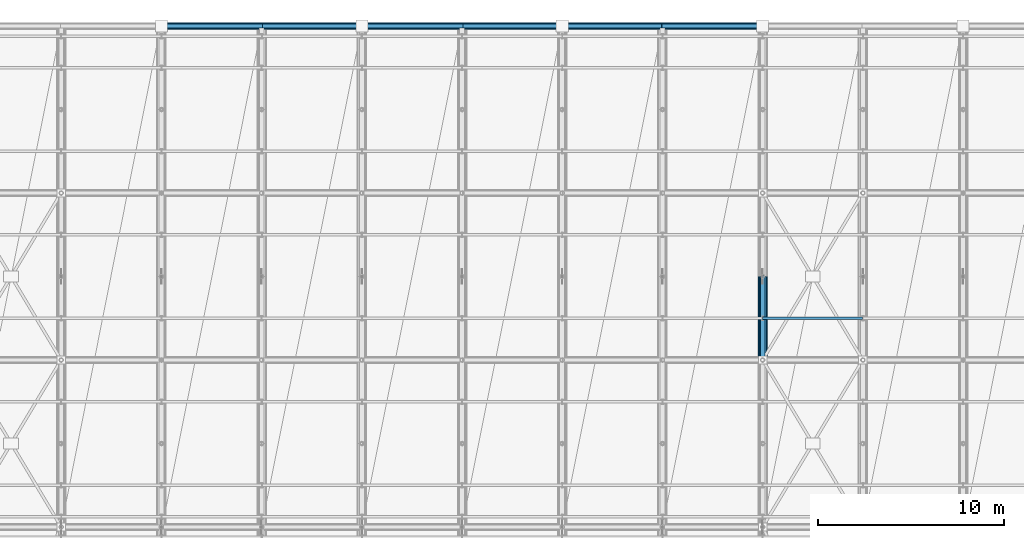
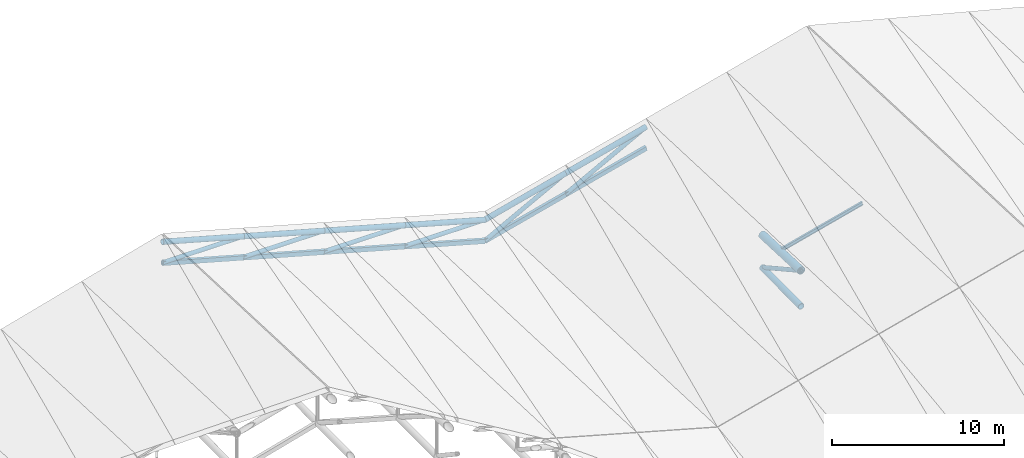
# One storey, part 28 of 109: 20 members, 2 beams.
"""IFC4 building model written with IfcOpenShell, lengths in metres."""

import ifcopenshell
import ifcopenshell.guid

model = None  # the IFC model being written
_history = None  # IfcOwnerHistory: only IFC2X3 demands one
_inside = {}  # id of a spatial element -> (the spatial element, [elements in it])
_under = {}  # id of a project, library or spatial element -> (it, [spatial elements below it])
_declared = {}  # id of a project -> (the project, [libraries it declares])
_typed = {}  # id of a type object -> (the type object, [elements of that type])
_made_of = {}  # id of a material, layer set ... -> (it, [elements and type objects made of it])


def new_model(schema):
    """Start an empty IFC model of exactly this schema.

    Asked for "IFC4X3", IfcOpenShell would pick the latest addendum, in which some entities
    have other attributes; the version numbers below select the first issue.
    IFC2X3 requires an IfcOwnerHistory on every rooted entity: one is made here for all.
    """
    global model, _history
    if schema == "IFC4X3":
        model = ifcopenshell.file(schema_version=(4, 3, 0, 0))
    else:
        model = ifcopenshell.file(schema=schema)
    _inside.clear()
    _under.clear()
    _declared.clear()
    _typed.clear()
    _made_of.clear()
    _history = None
    if model.schema == "IFC2X3":
        org = make("IfcOrganization", Name="unknown")
        user = make(
            "IfcPersonAndOrganization",
            ThePerson=make("IfcPerson", FamilyName="unknown"),
            TheOrganization=org,
        )
        app = make(
            "IfcApplication",
            ApplicationDeveloper=org,
            Version="unknown",
            ApplicationFullName="unknown",
            ApplicationIdentifier="unknown",
        )
        _history = make(
            "IfcOwnerHistory",
            OwningUser=user,
            OwningApplication=app,
            ChangeAction="ADDED",
            CreationDate=0,
        )
    return model


def make(cls, **values):
    """One entity of the class cls with the attributes given. An attribute that is None is left unset."""
    return model.create_entity(
        cls, **{name: value for name, value in values.items() if value is not None}
    )


def rooted(cls, **values):
    """An entity with a GlobalId (a new one), such as an element, a storey or a relation."""
    return make(cls, GlobalId=ifcopenshell.guid.new(), OwnerHistory=_history, **values)


def si_unit(unit_type, name, prefix=None):
    """IfcSIUnit, for example si_unit("LENGTHUNIT", "METRE", prefix="MILLI")."""
    return make("IfcSIUnit", UnitType=unit_type, Prefix=prefix, Name=name)


def assignment(units):
    """IfcUnitAssignment: the units of a project."""
    return None if units is None else make("IfcUnitAssignment", Units=units)


def point(xyz):
    """IfcCartesianPoint."""
    return None if xyz is None else make("IfcCartesianPoint", Coordinates=xyz)


def direction(xyz):
    """IfcDirection."""
    return None if xyz is None else make("IfcDirection", DirectionRatios=xyz)


def frame(location, z_axis=None, x_axis=None):
    """IfcAxis2Placement3D, a coordinate frame: its origin and axes. An axis left out is left unset."""
    return make(
        "IfcAxis2Placement3D",
        Location=point(location),
        Axis=direction(z_axis),
        RefDirection=direction(x_axis),
    )


def frame_2d(location, x_axis=None):
    """IfcAxis2Placement2D, a coordinate frame in the plane: its origin and x axis."""
    return make(
        "IfcAxis2Placement2D", Location=point(location), RefDirection=direction(x_axis)
    )


def origin():
    """The frame at (0, 0, 0) with its axes left unset."""
    return frame((0.0, 0.0, 0.0))


def origin_2d():
    """The frame at (0, 0) in the plane with its x axis left unset."""
    return frame_2d((0.0, 0.0))


def place(relative_to, where):
    """IfcLocalPlacement: puts the frame where relative to a parent placement (None: the world)."""
    return make(
        "IfcLocalPlacement", PlacementRelTo=relative_to, RelativePlacement=where
    )


def context(
    kind, dimensions, precision=None, world=None, true_north=None, identifier=None
):
    """IfcGeometricRepresentationContext, for example the 3D "Model" context."""
    return make(
        "IfcGeometricRepresentationContext",
        ContextIdentifier=identifier,
        ContextType=kind,
        CoordinateSpaceDimension=dimensions,
        Precision=precision,
        WorldCoordinateSystem=world,
        TrueNorth=true_north,
    )


def subcontext(parent, identifier, kind, view, scale=None):
    """IfcGeometricRepresentationSubContext, for example "Body" below "Model"."""
    return make(
        "IfcGeometricRepresentationSubContext",
        ContextIdentifier=identifier,
        ContextType=kind,
        ParentContext=parent,
        TargetScale=scale,
        TargetView=view,
    )


def project(units=None, contexts=None):
    """IfcProject with its units and contexts."""
    return rooted(
        "IfcProject",
        Name="project",
        RepresentationContexts=contexts,
        UnitsInContext=assignment(units),
    )


def spatial(cls, under=None, at=None, **own):
    """A site, building, storey or space (cls), placed at a placement, below another one or the project."""
    s = rooted(cls, ObjectPlacement=at, **own)
    if under is not None:
        _under.setdefault(under.id(), (under, []))[1].append(s)
    return s


def profile(cls, at=None, kind="AREA", **sizes):
    """A parametric profile (cls). Its sizes go by their IFC names, for example OverallWidth=200.0."""
    return make(cls, ProfileType=kind, Position=at, **sizes)


def hollow_rectangle(**sizes):
    """IfcRectangleHollowProfileDef."""
    return profile("IfcRectangleHollowProfileDef", **sizes)


def hollow_circle(**sizes):
    """IfcCircleHollowProfileDef."""
    return profile("IfcCircleHollowProfileDef", **sizes)


def i_section(**sizes):
    """IfcIShapeProfileDef."""
    return profile("IfcIShapeProfileDef", **sizes)


def extrude(swept, where, along, depth):
    """IfcExtrudedAreaSolid: the profile swept, set in the frame where, extruded along a direction by depth."""
    return make(
        "IfcExtrudedAreaSolid",
        SweptArea=swept,
        Position=where,
        ExtrudedDirection=direction(along),
        Depth=depth,
    )


def shape(context_of_items, identifier, shape_type, items):
    """IfcShapeRepresentation: the items that make up one representation, for example the "Body"."""
    return make(
        "IfcShapeRepresentation",
        ContextOfItems=context_of_items,
        RepresentationIdentifier=identifier,
        RepresentationType=shape_type,
        Items=items,
    )


def material(Name=None, Category=None):
    """IfcMaterial."""
    return make("IfcMaterial", Name=Name, Category=Category)


def material_profile(
    of_material, cross_section, Name=None, Category=None, Priority=None
):
    """IfcMaterialProfile: a cross section and its material."""
    return make(
        "IfcMaterialProfile",
        Name=Name,
        Material=of_material,
        Profile=cross_section,
        Priority=Priority,
        Category=Category,
    )


def profile_set(profiles, Name=None, composite=None):
    """IfcMaterialProfileSet."""
    return make(
        "IfcMaterialProfileSet",
        Name=Name,
        MaterialProfiles=profiles,
        CompositeProfile=composite,
    )


def made_of(thing, what):
    """Note that an element or type object is made of a material, layer set ...; save() writes the relation."""
    if what is not None:
        _made_of.setdefault(what.id(), (what, []))[1].append(thing)
    return thing


def type_object(cls, material=None, **own):
    """A type object (cls), such as IfcWallType, which elements share."""
    return made_of(rooted(cls, **own), material)


def element(
    cls,
    number,
    at=None,
    inside=None,
    cuts=None,
    type_object=None,
    material=None,
    context=None,
    identifier="Body",
    shape_type=None,
    held_by="IfcProductDefinitionShape",
    body=None,
    shapes=None,
    **own,
):
    """One element of the class cls, such as IfcWall. Its Tag is "e" and its number.

    at: its placement. inside: the storey or other place that contains it. cuts: it is an
    opening in that element (IfcRelVoidsElement). A single representation is given by context,
    identifier, shape_type and body (its items); several are given by shapes. held_by: the class
    of the entity that holds the representations. save() writes the other relations.
    """
    e = rooted(cls, Tag="e%d" % number, ObjectPlacement=at, **own)
    if body is not None:
        shapes = [shape(context, identifier, shape_type, body)]
    if shapes is not None:
        e.Representation = make(held_by, Representations=shapes)
    if inside is not None:
        _inside.setdefault(inside.id(), (inside, []))[1].append(e)
    if cuts is not None:
        rooted(
            "IfcRelVoidsElement", RelatingBuildingElement=cuts, RelatedOpeningElement=e
        )
    if type_object is not None:
        _typed.setdefault(type_object.id(), (type_object, []))[1].append(e)
    return made_of(e, material)


def aggregate(whole, parts):
    """IfcRelAggregates: a whole, such as a stair, and the parts it consists of."""
    return rooted("IfcRelAggregates", RelatingObject=whole, RelatedObjects=parts)


def save(model, path):
    """Write the relations noted so far, then the file.

    IfcRelAggregates (storeys below a building ...), IfcRelContainedInSpatialStructure (elements
    in a storey), IfcRelDefinesByType, IfcRelAssociatesMaterial and IfcRelDeclares: one each for
    every whole, place, type object, material and project.
    """
    for whole, parts in _under.values():
        aggregate(whole, parts)
    for where, things in _inside.values():
        rooted(
            "IfcRelContainedInSpatialStructure",
            RelatedElements=things,
            RelatingStructure=where,
        )
    for kind, things in _typed.values():
        rooted("IfcRelDefinesByType", RelatedObjects=things, RelatingType=kind)
    for what, things in _made_of.values():
        rooted("IfcRelAssociatesMaterial", RelatedObjects=things, RelatingMaterial=what)
    for by, libraries in _declared.values():
        rooted("IfcRelDeclares", RelatingContext=by, RelatedDefinitions=libraries)
    model.write(path)


model = new_model("IFC4")

# Units and contexts
model_context = context("Model", 3, precision=1e-05, world=origin(), true_north=direction((0.0, 1.0)))
body_context = subcontext(model_context, "Body", "Model", "MODEL_VIEW")
ifc_project = project(units=[si_unit("LENGTHUNIT", "METRE"), si_unit("AREAUNIT", "SQUARE_METRE"), si_unit("VOLUMEUNIT", "CUBIC_METRE"), si_unit("PLANEANGLEUNIT", "RADIAN"), si_unit("MASSUNIT", "GRAM", prefix="KILO")], contexts=[model_context])

# Site, building, storey
site_placement = place(None, origin())
site = spatial("IfcSite", under=ifc_project, at=site_placement, CompositionType="ELEMENT")
building_placement = place(site_placement, origin())
building = spatial("IfcBuilding", under=site, at=building_placement, Name="Suirenkawa Promenade Aquatics Centre", CompositionType="ELEMENT")
storey_placement = place(building_placement, frame((0.0, 0.0, 22.800048828125)))
storey = spatial("IfcBuildingStorey", under=building, at=storey_placement, Name="ROOF", CompositionType="ELEMENT", Elevation=22.800048828125)

# Beams
ifc_material = material(Name="Steel IS 2062 E350 (Grade 350)", Category="steel")
ifc_material_profile_1 = material_profile(ifc_material, hollow_circle(Radius=0.202880859375, WallThickness=0.01806640625, at=origin_2d()), Name="CHS 406x18", Category="steel")
ifc_profile_set_1 = profile_set([ifc_material_profile_1], Name="Steel IS 2062 E350 (Grade 350)")
beam_type_1 = type_object("IfcBeamType", Name="BT-BC-CHS406", PredefinedType="BEAM", material=ifc_profile_set_1)
beam_1_placement = place(storey_placement, frame((100.800048828125, 104.39990234375, -9.303955078125), z_axis=(0.0, 0.99995441513, 0.009548175839), x_axis=(-1.0, 0.0, 0.0)))
element("IfcBeam", 1, at=beam_1_placement, inside=storey, type_object=beam_type_1, Name="ROOF TRUSS V1 bottom chord BC-01 BM-2108", PredefinedType="BEAM", context=body_context, shape_type="SweptSolid", body=[
    extrude(hollow_circle(Radius=0.202880859375, WallThickness=0.01806640625, at=origin_2d()), origin(), (0.0, 0.0, 1.0), 4.500244140625),
])
ifc_material_profile_2 = material_profile(ifc_material, hollow_circle(Radius=0.25390625, WallThickness=0.02392578125, at=origin_2d()), Name="CHS 508x24", Category="steel")
ifc_profile_set_2 = profile_set([ifc_material_profile_2], Name="Steel IS 2062 E350 (Grade 350)")
beam_type_2 = type_object("IfcBeamType", Name="BT-TC-CHS508", PredefinedType="BEAM", material=ifc_profile_set_2)
beam_2_placement = place(storey_placement, frame((100.800048828125, 104.39990234375, -6.76708984375), z_axis=(0.0, 0.999175384927, -0.040602341759), x_axis=(-1.0, 0.0, 0.0)))
element("IfcBeam", 2, at=beam_2_placement, inside=storey, type_object=beam_type_2, Name="ROOF TRUSS V1 top chord TC-02 BM-2107", PredefinedType="BEAM", context=body_context, shape_type="SweptSolid", body=[
    extrude(hollow_circle(Radius=0.25390625, WallThickness=0.02392578125, at=origin_2d()), origin(), (0.0, 0.0, 1.0), 4.503662109375),
])

# Members
ifc_material_profile_3 = material_profile(ifc_material, hollow_circle(Radius=0.177978515625, WallThickness=0.01611328125, at=origin_2d()), Name="CHS 356x16", Category="steel")
ifc_profile_set_3 = profile_set([ifc_material_profile_3], Name="Steel IS 2062 E350 (Grade 350)")
member_type_1 = type_object("IfcMemberType", Name="MT-CHORD-CHS356", PredefinedType="CHORD", material=ifc_profile_set_3)
member_1_placement = place(storey_placement, frame((68.39990234375, 122.39990234375, -4.300048828125), z_axis=(0.963519781844, 0.0, -0.267637123724), x_axis=(0.0, 1.0, 0.0)))
element("IfcMember", 3, at=member_1_placement, inside=storey, type_object=member_type_1, Name="ROOF TRUSS V1 eave top chord CH-02 MB-0640", PredefinedType="CHORD", context=body_context, shape_type="SweptSolid", body=[
    extrude(hollow_circle(Radius=0.177978515625, WallThickness=0.01611328125, at=origin_2d()), origin(), (0.0, 0.0, 1.0), 5.6044921875),
])
member_2_placement = place(storey_placement, frame((73.800048828125, 122.39990234375, -5.800048828125), z_axis=(0.963516661409, 0.0, -0.267648357342), x_axis=(0.0, 1.0, 0.0)))
element("IfcMember", 4, at=member_2_placement, inside=storey, type_object=member_type_1, Name="ROOF TRUSS V1 eave top chord CH-02 MB-0643", PredefinedType="CHORD", context=body_context, shape_type="SweptSolid", body=[
    extrude(hollow_circle(Radius=0.177978515625, WallThickness=0.01611328125, at=origin_2d()), origin(), (0.0, 0.0, 1.0), 5.604248046875),
])
member_3_placement = place(storey_placement, frame((79.199951171875, 122.39990234375, -7.300048828125), z_axis=(0.963519781844, 0.0, -0.267637123724), x_axis=(0.0, 1.0, 0.0)))
element("IfcMember", 5, at=member_3_placement, inside=storey, type_object=member_type_1, Name="ROOF TRUSS V1 eave top chord CH-02 MB-0646", PredefinedType="CHORD", context=body_context, shape_type="SweptSolid", body=[
    extrude(hollow_circle(Radius=0.177978515625, WallThickness=0.01611328125, at=origin_2d()), origin(), (0.0, 0.0, 1.0), 5.6044921875),
])
member_4_placement = place(storey_placement, frame((84.60009765625, 122.39990234375, -8.800048828125), z_axis=(0.963516661409, 0.0, -0.267648357342), x_axis=(0.0, 1.0, 0.0)))
element("IfcMember", 6, at=member_4_placement, inside=storey, type_object=member_type_1, Name="ROOF TRUSS V1 eave top chord CH-02 MB-0649", PredefinedType="CHORD", context=body_context, shape_type="SweptSolid", body=[
    extrude(hollow_circle(Radius=0.177978515625, WallThickness=0.01611328125, at=origin_2d()), origin(), (0.0, 0.0, 1.0), 5.604248046875),
])
member_5_placement = place(storey_placement, frame((90.0, 122.39990234375, -10.300048828125), z_axis=(0.968000048288, 0.0, 0.250950007997), x_axis=(0.0, 1.0, 0.0)))
element("IfcMember", 7, at=member_5_placement, inside=storey, type_object=member_type_1, Name="ROOF TRUSS V1 eave top chord CH-02 MB-0652", PredefinedType="CHORD", context=body_context, shape_type="SweptSolid", body=[
    extrude(hollow_circle(Radius=0.177978515625, WallThickness=0.01611328125, at=origin_2d()), origin(), (0.0, 0.0, 1.0), 5.578369140625),
])
member_6_placement = place(storey_placement, frame((95.39990234375, 122.39990234375, -8.900146484375), z_axis=(0.967992172948, 0.0, 0.250980383917), x_axis=(0.0, 1.0, 0.0)))
element("IfcMember", 8, at=member_6_placement, inside=storey, type_object=member_type_1, Name="ROOF TRUSS V1 eave top chord CH-02 MB-0655", PredefinedType="CHORD", context=body_context, shape_type="SweptSolid", body=[
    extrude(hollow_circle(Radius=0.177978515625, WallThickness=0.01611328125, at=origin_2d()), origin(), (0.0, 0.0, 1.0), 5.57861328125),
])
ifc_material_profile_4 = material_profile(ifc_material, hollow_rectangle(XDim=0.199951171875, YDim=0.300048828125, WallThickness=0.011962890625, at=origin_2d()), Name="RHS 300x200x12", Category="steel")
ifc_profile_set_4 = profile_set([ifc_material_profile_4], Name="Steel IS 2062 E350 (Grade 350)")
member_type_2 = type_object("IfcMemberType", Name="MT-CHORD-RHS300", PredefinedType="CHORD", material=ifc_profile_set_4)
member_7_placement = place(storey_placement, frame((68.39990234375, 122.39990234375, -5.780029296875), z_axis=(0.963519781844, 0.0, -0.267637123724), x_axis=(0.0, 1.0, 0.0)))
element("IfcMember", 9, at=member_7_placement, inside=storey, type_object=member_type_2, Name="ROOF TRUSS V1 eave bottom chord CH-03 MB-0641", PredefinedType="CHORD", context=body_context, shape_type="SweptSolid", body=[
    extrude(hollow_rectangle(XDim=0.199951171875, YDim=0.300048828125, WallThickness=0.011962890625, at=origin_2d()), origin(), (0.0, 0.0, 1.0), 5.6044921875),
])
member_8_placement = place(storey_placement, frame((73.800048828125, 122.39990234375, -7.280029296875), z_axis=(0.963516661409, 0.0, -0.267648357342), x_axis=(0.0, 1.0, 0.0)))
element("IfcMember", 10, at=member_8_placement, inside=storey, type_object=member_type_2, Name="ROOF TRUSS V1 eave bottom chord CH-03 MB-0644", PredefinedType="CHORD", context=body_context, shape_type="SweptSolid", body=[
    extrude(hollow_rectangle(XDim=0.199951171875, YDim=0.300048828125, WallThickness=0.011962890625, at=origin_2d()), origin(), (0.0, 0.0, 1.0), 5.604248046875),
])
member_9_placement = place(storey_placement, frame((79.199951171875, 122.39990234375, -8.780029296875), z_axis=(0.963519781844, 0.0, -0.267637123724), x_axis=(0.0, 1.0, 0.0)))
element("IfcMember", 11, at=member_9_placement, inside=storey, type_object=member_type_2, Name="ROOF TRUSS V1 eave bottom chord CH-03 MB-0647", PredefinedType="CHORD", context=body_context, shape_type="SweptSolid", body=[
    extrude(hollow_rectangle(XDim=0.199951171875, YDim=0.300048828125, WallThickness=0.011962890625, at=origin_2d()), origin(), (0.0, 0.0, 1.0), 5.6044921875),
])
member_10_placement = place(storey_placement, frame((84.60009765625, 122.39990234375, -10.280029296875), z_axis=(0.963516661409, 0.0, -0.267648357342), x_axis=(0.0, 1.0, 0.0)))
element("IfcMember", 12, at=member_10_placement, inside=storey, type_object=member_type_2, Name="ROOF TRUSS V1 eave bottom chord CH-03 MB-0650", PredefinedType="CHORD", context=body_context, shape_type="SweptSolid", body=[
    extrude(hollow_rectangle(XDim=0.199951171875, YDim=0.300048828125, WallThickness=0.011962890625, at=origin_2d()), origin(), (0.0, 0.0, 1.0), 5.604248046875),
])
member_11_placement = place(storey_placement, frame((90.0, 122.39990234375, -11.780029296875), z_axis=(0.968000048288, 0.0, 0.250950007997), x_axis=(0.0, 1.0, 0.0)))
element("IfcMember", 13, at=member_11_placement, inside=storey, type_object=member_type_2, Name="ROOF TRUSS V1 eave bottom chord CH-03 MB-0653", PredefinedType="CHORD", context=body_context, shape_type="SweptSolid", body=[
    extrude(hollow_rectangle(XDim=0.199951171875, YDim=0.300048828125, WallThickness=0.011962890625, at=origin_2d()), origin(), (0.0, 0.0, 1.0), 5.578369140625),
])
member_12_placement = place(storey_placement, frame((95.39990234375, 122.39990234375, -10.380126953125), z_axis=(0.967992172948, 0.0, 0.250980383917), x_axis=(0.0, 1.0, 0.0)))
element("IfcMember", 14, at=member_12_placement, inside=storey, type_object=member_type_2, Name="ROOF TRUSS V1 eave bottom chord CH-03 MB-0656", PredefinedType="CHORD", context=body_context, shape_type="SweptSolid", body=[
    extrude(hollow_rectangle(XDim=0.199951171875, YDim=0.300048828125, WallThickness=0.011962890625, at=origin_2d()), origin(), (0.0, 0.0, 1.0), 5.57861328125),
])
ifc_material_profile_5 = material_profile(ifc_material, i_section(OverallWidth=0.125, OverallDepth=0.25, WebThickness=0.007080078125, FlangeThickness=0.012939453125, at=origin_2d()), Name="ISMB 250", Category="steel")
ifc_profile_set_5 = profile_set([ifc_material_profile_5], Name="Steel IS 2062 E350 (Grade 350)")
member_type_3 = type_object("IfcMemberType", Name="MT-PURLIN-ISMB250", PredefinedType="PURLIN", material=ifc_profile_set_5)
member_13_placement = place(storey_placement, frame((100.800048828125, 106.64990234375, -6.630126953125), z_axis=(0.967989416096, 0.0, 0.250991016426), x_axis=(0.0, 1.0, 0.0)))
element("IfcMember", 15, at=member_13_placement, inside=storey, type_object=member_type_3, Name="ROOF TRUSS Roof purlin PU-04 MB-2073", PredefinedType="PURLIN", context=body_context, shape_type="SweptSolid", body=[
    extrude(i_section(OverallWidth=0.125, OverallDepth=0.25, WebThickness=0.007080078125, FlangeThickness=0.012939453125, at=origin_2d()), origin(), (0.0, 0.0, 1.0), 5.578369140625),
])
ifc_material_profile_6 = material_profile(ifc_material, hollow_circle(Radius=0.136962890625, WallThickness=0.011962890625, at=origin_2d()), Name="CHS 274x12", Category="steel")
ifc_profile_set_6 = profile_set([ifc_material_profile_6], Name="Steel IS 2062 E350 (Grade 350)")
member_type_4 = type_object("IfcMemberType", Name="MT-WEB-CHS274", PredefinedType="BRACE", material=ifc_profile_set_6)
member_14_placement = place(storey_placement, frame((100.800048828125, 104.39990234375, -6.76708984375), z_axis=(0.0, 0.874660438482, -0.484736131678), x_axis=(-1.0, 0.0, 0.0)))
element("IfcMember", 16, at=member_14_placement, inside=storey, type_object=member_type_4, Name="ROOF TRUSS V1 web diagonal TD-02 MB-0281", PredefinedType="BRACE", context=body_context, shape_type="SweptSolid", body=[
    extrude(hollow_circle(Radius=0.136962890625, WallThickness=0.011962890625, at=origin_2d()), origin(), (0.0, 0.0, 1.0), 5.144775390625),
])
member_15_placement = place(storey_placement, frame((68.39990234375, 122.39990234375, -5.780029296875), z_axis=(0.999993128331, 0.0, -0.003707194562), x_axis=(0.0, 1.0, 0.0)))
element("IfcMember", 17, at=member_15_placement, inside=storey, type_object=member_type_4, Name="ROOF TRUSS V1 eave web diagonal TD-02 MB-0642", PredefinedType="BRACE", context=body_context, shape_type="SweptSolid", body=[
    extrude(hollow_circle(Radius=0.136962890625, WallThickness=0.011962890625, at=origin_2d()), origin(), (0.0, 0.0, 1.0), 5.400146484375),
])
member_16_placement = place(storey_placement, frame((73.800048828125, 122.39990234375, -7.280029296875), z_axis=(0.999993127709, 0.0, -0.00370736217), x_axis=(0.0, 1.0, 0.0)))
element("IfcMember", 18, at=member_16_placement, inside=storey, type_object=member_type_4, Name="ROOF TRUSS V1 eave web diagonal TD-02 MB-0645", PredefinedType="BRACE", context=body_context, shape_type="SweptSolid", body=[
    extrude(hollow_circle(Radius=0.136962890625, WallThickness=0.011962890625, at=origin_2d()), origin(), (0.0, 0.0, 1.0), 5.39990234375),
])
member_17_placement = place(storey_placement, frame((79.199951171875, 122.39990234375, -8.780029296875), z_axis=(0.999993128331, 0.0, -0.003707194562), x_axis=(0.0, 1.0, 0.0)))
element("IfcMember", 19, at=member_17_placement, inside=storey, type_object=member_type_4, Name="ROOF TRUSS V1 eave web diagonal TD-02 MB-0648", PredefinedType="BRACE", context=body_context, shape_type="SweptSolid", body=[
    extrude(hollow_circle(Radius=0.136962890625, WallThickness=0.011962890625, at=origin_2d()), origin(), (0.0, 0.0, 1.0), 5.400146484375),
])
member_18_placement = place(storey_placement, frame((84.60009765625, 122.39990234375, -10.280029296875), z_axis=(0.999993127709, 0.0, -0.00370736217), x_axis=(0.0, 1.0, 0.0)))
element("IfcMember", 20, at=member_18_placement, inside=storey, type_object=member_type_4, Name="ROOF TRUSS V1 eave web diagonal TD-02 MB-0651", PredefinedType="BRACE", context=body_context, shape_type="SweptSolid", body=[
    extrude(hollow_circle(Radius=0.136962890625, WallThickness=0.011962890625, at=origin_2d()), origin(), (0.0, 0.0, 1.0), 5.39990234375),
])
member_19_placement = place(storey_placement, frame((90.0, 122.39990234375, -11.780029296875), z_axis=(0.882357358376, 0.0, 0.470579952952), x_axis=(0.0, 1.0, 0.0)))
element("IfcMember", 21, at=member_19_placement, inside=storey, type_object=member_type_4, Name="ROOF TRUSS V1 eave web diagonal TD-02 MB-0654", PredefinedType="BRACE", context=body_context, shape_type="SweptSolid", body=[
    extrude(hollow_circle(Radius=0.136962890625, WallThickness=0.011962890625, at=origin_2d()), origin(), (0.0, 0.0, 1.0), 6.119873046875),
])
member_20_placement = place(storey_placement, frame((95.39990234375, 122.39990234375, -10.380126953125), z_axis=(0.882349628405, 0.0, 0.470594446688), x_axis=(0.0, 1.0, 0.0)))
element("IfcMember", 22, at=member_20_placement, inside=storey, type_object=member_type_4, Name="ROOF TRUSS V1 eave web diagonal TD-02 MB-0657", PredefinedType="BRACE", context=body_context, shape_type="SweptSolid", body=[
    extrude(hollow_circle(Radius=0.136962890625, WallThickness=0.011962890625, at=origin_2d()), origin(), (0.0, 0.0, 1.0), 6.1201171875),
])

save(model, "model.ifc")
